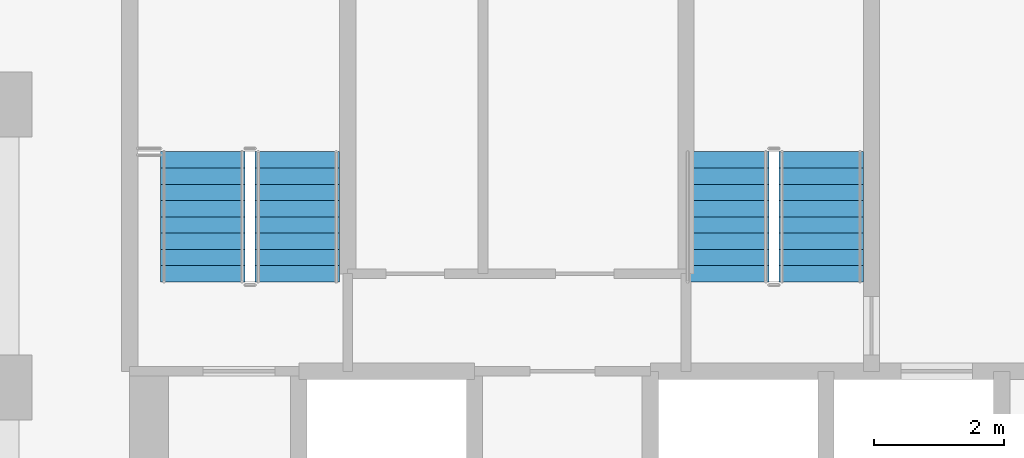
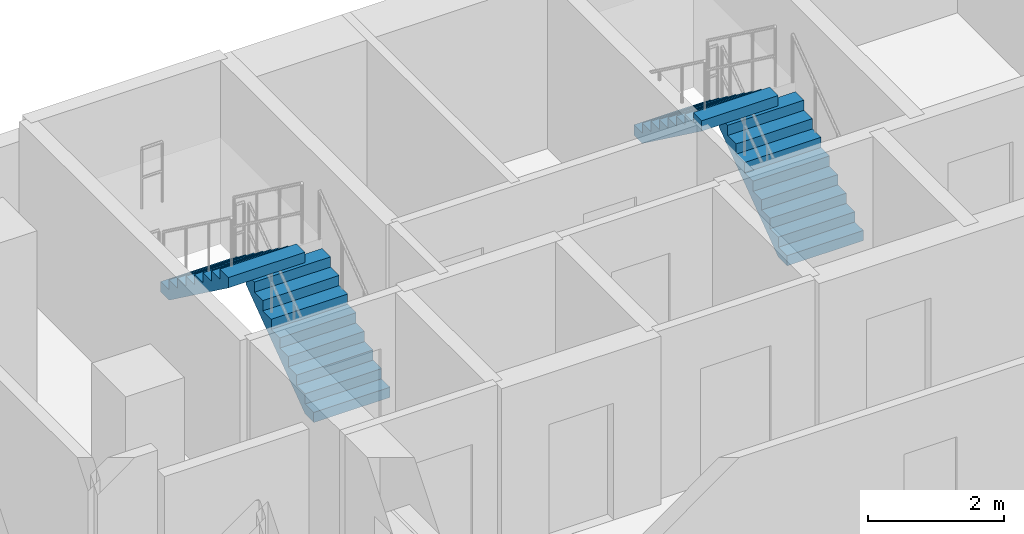
# One storey, part 9 of 13: 4 stair flights, 2 elements without a shape of their own.
"""IFC4 building model written with IfcOpenShell, lengths in metres."""

from ifc_helpers import new_model, si_unit, direction, frame, origin, place, context, subcontext, project, spatial, polyline, outline, extrude, material, type_object, element, aggregate, save


model = new_model("IFC4")

# Units and contexts
model_context = context("Model", 3, precision=1e-05, world=origin(), true_north=direction((0.0, 1.0)))
body_context = subcontext(model_context, "Body", "Model", "MODEL_VIEW")
ifc_project = project(units=[si_unit("LENGTHUNIT", "METRE"), si_unit("AREAUNIT", "SQUARE_METRE"), si_unit("VOLUMEUNIT", "CUBIC_METRE"), si_unit("PLANEANGLEUNIT", "RADIAN"), si_unit("MASSUNIT", "GRAM", prefix="KILO")], contexts=[model_context])

# Site, building, storey
site_placement = place(None, origin())
site = spatial("IfcSite", under=ifc_project, at=site_placement, CompositionType="ELEMENT")
building_placement = place(site_placement, origin())
building = spatial("IfcBuilding", under=site, at=building_placement, Name="Nakaniwa Court", CompositionType="ELEMENT")
storey_placement = place(building_placement, frame((0.0, 0.0, 130.5)))
storey = spatial("IfcBuildingStorey", under=building, at=storey_placement, Name="L33", CompositionType="ELEMENT", Elevation=130.5)

# Stair, stair flights
ifc_material = material(Name="Concrete C80/100", Category="concrete")
stair_type = type_object("IfcStairType", Name="Dog leg stair 1300 wide 18 risers", PredefinedType="HALF_TURN_STAIR", material=ifc_material)
stair_1_placement = place(storey_placement, origin())
stair_1 = element("IfcStair", 1, at=stair_1_placement, inside=storey, type_object=stair_type, Name="L33 Stair ST1", PredefinedType="HALF_TURN_STAIR")
stair_flight_type = type_object("IfcStairFlightType", Name="Stair flight 1300 wide 9 risers", PredefinedType="STRAIGHT", material=ifc_material)
stair_flight_1_placement = place(storey_placement, frame((74.574951171875, 98.27490234375, 0.0), z_axis=(0.0, 0.0, 1.0), x_axis=(0.0, 1.0, 0.0)))
stair_flight_1 = element("IfcStairFlight", 2, at=stair_flight_1_placement, type_object=stair_flight_type, Name="ST1 flight 1", NumberOfRisers=9, NumberOfTreads=8, PredefinedType="STRAIGHT", RiserHeight=0.183333333, TreadLength=0.25, context=body_context, shape_type="SweptSolid", body=[
    extrude(outline(polyline([(0.0, 0.0), (0.0, 0.026123046875), (0.0, 0.052490234375), (0.0, 0.07861328125), (0.0, 0.104736328125), (0.0, 0.130859375), (0.0, 0.1572265625), (0.0, 0.183349609375), (0.25, 0.183349609375), (0.25, 0.36669921875), (0.5, 0.36669921875), (0.5, 0.550048828125), (0.75, 0.550048828125), (0.75, 0.7333984375), (1.0, 0.7333984375), (1.0, 0.916748046875), (1.25, 0.916748046875), (1.25, 1.10009765625), (1.5, 1.10009765625), (1.5, 1.283447265625), (1.75, 1.283447265625), (1.75, 1.466552734375), (2.0, 1.466552734375), (2.0, 1.64990234375), (2.0, 1.59716796875), (2.0, 1.54443359375), (2.0, 1.49169921875), (2.0, 1.43896484375), (2.0, 1.38623046875), (2.0, 1.33349609375), (2.0, 1.28076171875), (0.25341796875, 0.0), (0.0, 0.0)])), frame((0.0, 0.64990234375, 0.0), z_axis=(0.0, -1.0, 0.0), x_axis=(1.0, 0.0, 0.0)), (0.0, 0.0, 1.0), 1.300048828125),
])
stair_flight_2_placement = place(storey_placement, frame((73.125, 100.27490234375, 1.64990234375), z_axis=(0.0, 0.0, 1.0), x_axis=(0.0, -1.0, 0.0)))
stair_flight_2 = element("IfcStairFlight", 3, at=stair_flight_2_placement, type_object=stair_flight_type, Name="ST1 flight 2", NumberOfRisers=9, NumberOfTreads=8, PredefinedType="STRAIGHT", RiserHeight=0.183333333, TreadLength=0.25, context=body_context, shape_type="SweptSolid", body=[
    extrude(outline(polyline([(0.0, 0.0), (0.0, 0.026123046875), (0.0, 0.052490234375), (0.0, 0.07861328125), (0.0, 0.104736328125), (0.0, 0.130859375), (0.0, 0.1572265625), (0.0, 0.183349609375), (0.25, 0.183349609375), (0.25, 0.36669921875), (0.5, 0.36669921875), (0.5, 0.550048828125), (0.75, 0.550048828125), (0.75, 0.7333984375), (1.0, 0.7333984375), (1.0, 0.916748046875), (1.25, 0.916748046875), (1.25, 1.10009765625), (1.5, 1.10009765625), (1.5, 1.283447265625), (1.75, 1.283447265625), (1.75, 1.466552734375), (2.0, 1.466552734375), (2.0, 1.64990234375), (2.0, 1.59716796875), (2.0, 1.54443359375), (2.0, 1.49169921875), (2.0, 1.43896484375), (2.0, 1.38623046875), (2.0, 1.33349609375), (2.0, 1.28076171875), (0.25341796875, 0.0), (0.0, 0.0)])), frame((0.0, 0.64990234375, 0.0), z_axis=(0.0, -1.0, 0.0), x_axis=(1.0, 0.0, 0.0)), (0.0, 0.0, 1.0), 1.300048828125),
])
aggregate(stair_1, [stair_flight_1, stair_flight_2])

stair_2_placement = place(storey_placement, origin())
stair_2 = element("IfcStair", 4, at=stair_2_placement, inside=storey, type_object=stair_type, Name="L33 Stair ST2", PredefinedType="HALF_TURN_STAIR")
stair_flight_3_placement = place(storey_placement, frame((82.625, 98.27490234375, 0.0), z_axis=(0.0, 0.0, 1.0), x_axis=(0.0, 1.0, 0.0)))
stair_flight_3 = element("IfcStairFlight", 5, at=stair_flight_3_placement, type_object=stair_flight_type, Name="ST2 flight 1", NumberOfRisers=9, NumberOfTreads=8, PredefinedType="STRAIGHT", RiserHeight=0.183333333, TreadLength=0.25, context=body_context, shape_type="SweptSolid", body=[
    extrude(outline(polyline([(0.0, 0.0), (0.0, 0.026123046875), (0.0, 0.052490234375), (0.0, 0.07861328125), (0.0, 0.104736328125), (0.0, 0.130859375), (0.0, 0.1572265625), (0.0, 0.183349609375), (0.25, 0.183349609375), (0.25, 0.36669921875), (0.5, 0.36669921875), (0.5, 0.550048828125), (0.75, 0.550048828125), (0.75, 0.7333984375), (1.0, 0.7333984375), (1.0, 0.916748046875), (1.25, 0.916748046875), (1.25, 1.10009765625), (1.5, 1.10009765625), (1.5, 1.283447265625), (1.75, 1.283447265625), (1.75, 1.466552734375), (2.0, 1.466552734375), (2.0, 1.64990234375), (2.0, 1.59716796875), (2.0, 1.54443359375), (2.0, 1.49169921875), (2.0, 1.43896484375), (2.0, 1.38623046875), (2.0, 1.33349609375), (2.0, 1.28076171875), (0.25341796875, 0.0), (0.0, 0.0)])), frame((0.0, 0.64990234375, 0.0), z_axis=(0.0, -1.0, 0.0), x_axis=(1.0, 0.0, 0.0)), (0.0, 0.0, 1.0), 1.300048828125),
])
stair_flight_4_placement = place(storey_placement, frame((81.175048828125, 100.27490234375, 1.64990234375), z_axis=(0.0, 0.0, 1.0), x_axis=(0.0, -1.0, 0.0)))
stair_flight_4 = element("IfcStairFlight", 6, at=stair_flight_4_placement, type_object=stair_flight_type, Name="ST2 flight 2", NumberOfRisers=9, NumberOfTreads=8, PredefinedType="STRAIGHT", RiserHeight=0.183333333, TreadLength=0.25, context=body_context, shape_type="SweptSolid", body=[
    extrude(outline(polyline([(0.0, 0.0), (0.0, 0.026123046875), (0.0, 0.052490234375), (0.0, 0.07861328125), (0.0, 0.104736328125), (0.0, 0.130859375), (0.0, 0.1572265625), (0.0, 0.183349609375), (0.25, 0.183349609375), (0.25, 0.36669921875), (0.5, 0.36669921875), (0.5, 0.550048828125), (0.75, 0.550048828125), (0.75, 0.7333984375), (1.0, 0.7333984375), (1.0, 0.916748046875), (1.25, 0.916748046875), (1.25, 1.10009765625), (1.5, 1.10009765625), (1.5, 1.283447265625), (1.75, 1.283447265625), (1.75, 1.466552734375), (2.0, 1.466552734375), (2.0, 1.64990234375), (2.0, 1.59716796875), (2.0, 1.54443359375), (2.0, 1.49169921875), (2.0, 1.43896484375), (2.0, 1.38623046875), (2.0, 1.33349609375), (2.0, 1.28076171875), (0.25341796875, 0.0), (0.0, 0.0)])), frame((0.0, 0.64990234375, 0.0), z_axis=(0.0, -1.0, 0.0), x_axis=(1.0, 0.0, 0.0)), (0.0, 0.0, 1.0), 1.300048828125),
])
aggregate(stair_2, [stair_flight_3, stair_flight_4])

save(model, "model.ifc")
